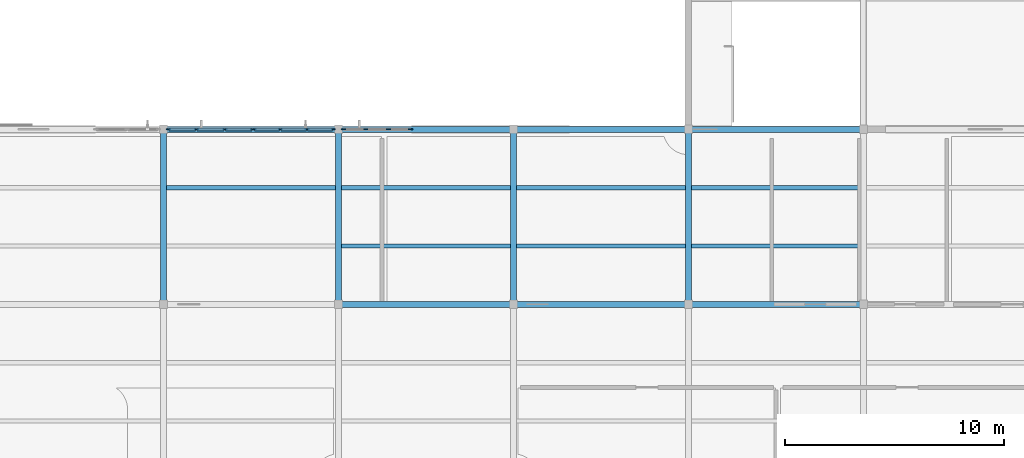
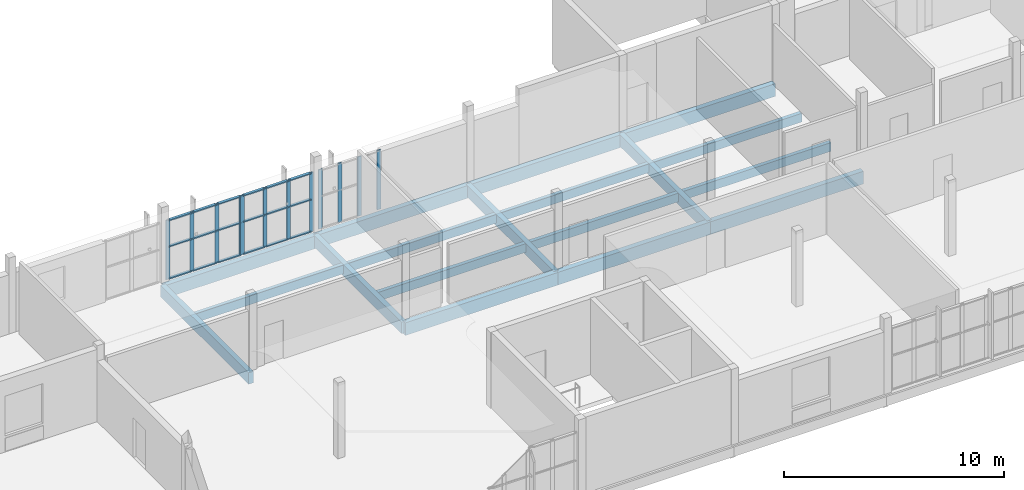
# One storey, part 4 of 15: 30 members, 18 beams, 3 elements without a shape of their own.
"""IFC4 building model written with IfcOpenShell, lengths in metres."""

from ifc_helpers import new_model, si_unit, direction, frame, origin, origin_2d, place, context, subcontext, project, spatial, rectangle, extrude, material, layer, layer_set, material_profile, profile_set, type_object, element, aggregate, save


model = new_model("IFC4")

# Units and contexts
model_context = context("Model", 3, precision=1e-05, world=origin(), true_north=direction((0.0, 1.0)))
body_context = subcontext(model_context, "Body", "Model", "MODEL_VIEW")
ifc_project = project(units=[si_unit("LENGTHUNIT", "METRE"), si_unit("AREAUNIT", "SQUARE_METRE"), si_unit("VOLUMEUNIT", "CUBIC_METRE"), si_unit("PLANEANGLEUNIT", "RADIAN"), si_unit("MASSUNIT", "GRAM", prefix="KILO")], contexts=[model_context])

# Site, building, storey
site_placement = place(None, origin())
site = spatial("IfcSite", under=ifc_project, at=site_placement, CompositionType="ELEMENT")
building_placement = place(site_placement, origin())
building = spatial("IfcBuilding", under=site, at=building_placement, Name="Solvane Community Centre", CompositionType="ELEMENT")
storey_placement = place(building_placement, frame((0.0, 0.0, 18.0)))
storey = spatial("IfcBuildingStorey", under=building, at=storey_placement, Name="L04", CompositionType="ELEMENT", Elevation=18.0)

# Curtain wall, members
ifc_material_1 = material(Name="Anodised bronze aluminium AW-6063 T6", Category="aluminium")
ifc_layer_1 = layer(ifc_material_1, 0.199951171875)
ifc_layer_set_1 = layer_set([ifc_layer_1], Name="Anodised bronze aluminium AW-6063 T6")
curtain_wall_type_1 = type_object("IfcCurtainWallType", Name="Courtyard Cloister Curtain Wall [39x33dm]", PredefinedType="NOTDEFINED", material=ifc_layer_set_1)
curtain_wall_1_placement = place(storey_placement, origin())
curtain_wall_1 = element("IfcCurtainWall", 1, at=curtain_wall_1_placement, inside=storey, type_object=curtain_wall_type_1, Name="Curtain Wall CW-L04-922_300-238", PredefinedType="NOTDEFINED")
ifc_material_profile_1 = material_profile(ifc_material_1, rectangle(XDim=0.06005859375, YDim=0.199951171875, at=origin_2d()), Name="CW-M 60x200")
ifc_profile_set_1 = profile_set([ifc_material_profile_1], Name="Anodised bronze aluminium AW-6063 T6")
member_type_1 = type_object("IfcMemberType", Name="Cloister Mullion 60x200", PredefinedType="MULLION", material=ifc_profile_set_1)
member_1_placement = place(storey_placement, frame((92.235107421875, 30.0, 0.0), z_axis=(0.0, 0.0, 1.0), x_axis=(0.0, 1.0, 0.0)))
member_1 = element("IfcMember", 2, at=member_1_placement, type_object=member_type_1, Name="CW03-39x33 mullion 1", PredefinedType="MULLION", context=body_context, shape_type="SweptSolid", body=[
    extrude(rectangle(XDim=0.06005859375, YDim=0.199951171875, at=origin_2d()), origin(), (0.0, 0.0, 1.0), 3.284912109375),
])
member_2_placement = place(storey_placement, frame((93.507080078125, 30.0, 0.0), z_axis=(0.0, 0.0, 1.0), x_axis=(0.0, 1.0, 0.0)))
member_2 = element("IfcMember", 3, at=member_2_placement, type_object=member_type_1, Name="CW03-39x33 mullion 2", PredefinedType="MULLION", context=body_context, shape_type="SweptSolid", body=[
    extrude(rectangle(XDim=0.06005859375, YDim=0.199951171875, at=origin_2d()), origin(), (0.0, 0.0, 1.0), 3.284912109375),
])
member_3_placement = place(storey_placement, frame((94.80908203125, 30.0, 0.0), z_axis=(0.0, 0.0, 1.0), x_axis=(0.0, 1.0, 0.0)))
member_3 = element("IfcMember", 4, at=member_3_placement, type_object=member_type_1, Name="CW03-39x33 mullion 3", PredefinedType="MULLION", context=body_context, shape_type="SweptSolid", body=[
    extrude(rectangle(XDim=0.06005859375, YDim=0.199951171875, at=origin_2d()), origin(), (0.0, 0.0, 1.0), 3.284912109375),
])
member_4_placement = place(storey_placement, frame((96.0810546875, 30.0, 0.0), z_axis=(0.0, 0.0, 1.0), x_axis=(0.0, 1.0, 0.0)))
member_4 = element("IfcMember", 5, at=member_4_placement, type_object=member_type_1, Name="CW03-39x33 mullion 4", PredefinedType="MULLION", context=body_context, shape_type="SweptSolid", body=[
    extrude(rectangle(XDim=0.06005859375, YDim=0.199951171875, at=origin_2d()), origin(), (0.0, 0.0, 1.0), 3.284912109375),
])

ifc_layer_2 = layer(ifc_material_1, 0.199951171875)
ifc_layer_set_2 = layer_set([ifc_layer_2], Name="Anodised bronze aluminium AW-6063 T6")
curtain_wall_type_2 = type_object("IfcCurtainWallType", Name="Courtyard Cloister Curtain Wall [37x33dm]", PredefinedType="NOTDEFINED", material=ifc_layer_set_2)
curtain_wall_2_placement = place(storey_placement, origin())
curtain_wall_2 = element("IfcCurtainWall", 6, at=curtain_wall_2_placement, inside=storey, type_object=curtain_wall_type_2, Name="Curtain Wall CW-L04-961_300-239", PredefinedType="NOTDEFINED")
member_5_placement = place(storey_placement, frame((96.14111328125, 30.0, 0.0), z_axis=(0.0, 0.0, 1.0), x_axis=(0.0, 1.0, 0.0)))
member_5 = element("IfcMember", 7, at=member_5_placement, type_object=member_type_1, Name="CW03-37x33 mullion 1", PredefinedType="MULLION", context=body_context, shape_type="SweptSolid", body=[
    extrude(rectangle(XDim=0.06005859375, YDim=0.199951171875, at=origin_2d()), origin(), (0.0, 0.0, 1.0), 3.284912109375),
])
member_6_placement = place(storey_placement, frame((97.339111328125, 30.0, 0.0), z_axis=(0.0, 0.0, 1.0), x_axis=(0.0, 1.0, 0.0)))
member_6 = element("IfcMember", 8, at=member_6_placement, type_object=member_type_1, Name="CW03-37x33 mullion 2", PredefinedType="MULLION", context=body_context, shape_type="SweptSolid", body=[
    extrude(rectangle(XDim=0.06005859375, YDim=0.199951171875, at=origin_2d()), origin(), (0.0, 0.0, 1.0), 3.284912109375),
])
member_7_placement = place(storey_placement, frame((98.567138671875, 30.0, 0.0), z_axis=(0.0, 0.0, 1.0), x_axis=(0.0, 1.0, 0.0)))
member_7 = element("IfcMember", 9, at=member_7_placement, type_object=member_type_1, Name="CW03-37x33 mullion 3", PredefinedType="MULLION", context=body_context, shape_type="SweptSolid", body=[
    extrude(rectangle(XDim=0.06005859375, YDim=0.199951171875, at=origin_2d()), origin(), (0.0, 0.0, 1.0), 3.284912109375),
])
member_8_placement = place(storey_placement, frame((99.764892578125, 30.0, 0.0), z_axis=(0.0, 0.0, 1.0), x_axis=(0.0, 1.0, 0.0)))
member_8 = element("IfcMember", 10, at=member_8_placement, type_object=member_type_1, Name="CW03-37x33 mullion 4", PredefinedType="MULLION", context=body_context, shape_type="SweptSolid", body=[
    extrude(rectangle(XDim=0.06005859375, YDim=0.199951171875, at=origin_2d()), origin(), (0.0, 0.0, 1.0), 3.284912109375),
])

ifc_layer_3 = layer(ifc_material_1, 0.199951171875)
ifc_layer_set_3 = layer_set([ifc_layer_3], Name="Anodised bronze aluminium AW-6063 T6")
curtain_wall_type_3 = type_object("IfcCurtainWallType", Name="Courtyard Cloister Curtain Wall [31x33dm]", PredefinedType="NOTDEFINED", material=ifc_layer_set_3)
curtain_wall_3_placement = place(storey_placement, origin())
curtain_wall_3 = element("IfcCurtainWall", 11, at=curtain_wall_3_placement, inside=storey, type_object=curtain_wall_type_3, Name="Curtain Wall CW-L04-1002_300-240", PredefinedType="NOTDEFINED")
member_9_placement = place(storey_placement, frame((100.235107421875, 30.0, 0.0), z_axis=(0.0, 0.0, 1.0), x_axis=(0.0, 1.0, 0.0)))
member_9 = element("IfcMember", 12, at=member_9_placement, type_object=member_type_1, Name="CW03-31x33 mullion 1", PredefinedType="MULLION", context=body_context, shape_type="SweptSolid", body=[
    extrude(rectangle(XDim=0.06005859375, YDim=0.199951171875, at=origin_2d()), origin(), (0.0, 0.0, 1.0), 3.284912109375),
])
member_10_placement = place(storey_placement, frame((101.247802734375, 30.0, 0.0), z_axis=(0.0, 0.0, 1.0), x_axis=(0.0, 1.0, 0.0)))
member_10 = element("IfcMember", 13, at=member_10_placement, type_object=member_type_1, Name="CW03-31x33 mullion 2", PredefinedType="MULLION", context=body_context, shape_type="SweptSolid", body=[
    extrude(rectangle(XDim=0.06005859375, YDim=0.199951171875, at=origin_2d()), origin(), (0.0, 0.0, 1.0), 3.284912109375),
])
member_11_placement = place(storey_placement, frame((102.29052734375, 30.0, 0.0), z_axis=(0.0, 0.0, 1.0), x_axis=(0.0, 1.0, 0.0)))
member_11 = element("IfcMember", 14, at=member_11_placement, type_object=member_type_1, Name="CW03-31x33 mullion 3", PredefinedType="MULLION", context=body_context, shape_type="SweptSolid", body=[
    extrude(rectangle(XDim=0.06005859375, YDim=0.199951171875, at=origin_2d()), origin(), (0.0, 0.0, 1.0), 3.284912109375),
])
member_12_placement = place(storey_placement, frame((103.30322265625, 30.0, 0.0), z_axis=(0.0, 0.0, 1.0), x_axis=(0.0, 1.0, 0.0)))
member_12 = element("IfcMember", 15, at=member_12_placement, type_object=member_type_1, Name="CW03-31x33 mullion 4", PredefinedType="MULLION", context=body_context, shape_type="SweptSolid", body=[
    extrude(rectangle(XDim=0.06005859375, YDim=0.199951171875, at=origin_2d()), origin(), (0.0, 0.0, 1.0), 3.284912109375),
])
aggregate(curtain_wall_3, [member_9, member_10, member_11, member_12])

# Member
ifc_material_profile_2 = material_profile(ifc_material_1, rectangle(XDim=0.139892578125, YDim=0.06005859375, at=origin_2d()), Name="CW-T 60x140")
ifc_profile_set_2 = profile_set([ifc_material_profile_2], Name="Anodised bronze aluminium AW-6063 T6")
member_type_2 = type_object("IfcMemberType", Name="Cloister Transom 60x140", PredefinedType="USERDEFINED", material=ifc_profile_set_2)
member_13_placement = place(storey_placement, frame((92.264892578125, 30.0, 0.030029296875), z_axis=(1.0, 0.0, 0.0), x_axis=(0.0, 1.0, 0.0)))
member_13 = element("IfcMember", 16, at=member_13_placement, type_object=member_type_2, Name="CW03-39x33 transom 1.1", ObjectType="TRANSOM", PredefinedType="USERDEFINED", context=body_context, shape_type="SweptSolid", body=[
    extrude(rectangle(XDim=0.139892578125, YDim=0.06005859375, at=origin_2d()), origin(), (0.0, 0.0, 1.0), 1.212158203125),
])

member_14_placement = place(storey_placement, frame((92.264892578125, 30.0, 1.806884765625), z_axis=(1.0, 0.0, 0.0), x_axis=(0.0, 1.0, 0.0)))
member_14 = element("IfcMember", 17, at=member_14_placement, type_object=member_type_2, Name="CW03-39x33 transom 1.2", ObjectType="TRANSOM", PredefinedType="USERDEFINED", context=body_context, shape_type="SweptSolid", body=[
    extrude(rectangle(XDim=0.139892578125, YDim=0.06005859375, at=origin_2d()), origin(), (0.0, 0.0, 1.0), 1.212158203125),
])

member_15_placement = place(storey_placement, frame((92.264892578125, 30.0, 3.2548828125), z_axis=(1.0, 0.0, 0.0), x_axis=(0.0, 1.0, 0.0)))
member_15 = element("IfcMember", 18, at=member_15_placement, type_object=member_type_2, Name="CW03-39x33 transom 1.3", ObjectType="TRANSOM", PredefinedType="USERDEFINED", context=body_context, shape_type="SweptSolid", body=[
    extrude(rectangle(XDim=0.139892578125, YDim=0.06005859375, at=origin_2d()), origin(), (0.0, 0.0, 1.0), 1.212158203125),
])

member_16_placement = place(storey_placement, frame((93.537109375, 30.0, 0.030029296875), z_axis=(1.0, 0.0, 0.0), x_axis=(0.0, 1.0, 0.0)))
member_16 = element("IfcMember", 19, at=member_16_placement, type_object=member_type_2, Name="CW03-39x33 transom 2.1", ObjectType="TRANSOM", PredefinedType="USERDEFINED", context=body_context, shape_type="SweptSolid", body=[
    extrude(rectangle(XDim=0.139892578125, YDim=0.06005859375, at=origin_2d()), origin(), (0.0, 0.0, 1.0), 1.241943359375),
])

member_17_placement = place(storey_placement, frame((93.537109375, 30.0, 1.806884765625), z_axis=(1.0, 0.0, 0.0), x_axis=(0.0, 1.0, 0.0)))
member_17 = element("IfcMember", 20, at=member_17_placement, type_object=member_type_2, Name="CW03-39x33 transom 2.2", ObjectType="TRANSOM", PredefinedType="USERDEFINED", context=body_context, shape_type="SweptSolid", body=[
    extrude(rectangle(XDim=0.139892578125, YDim=0.06005859375, at=origin_2d()), origin(), (0.0, 0.0, 1.0), 1.241943359375),
])

member_18_placement = place(storey_placement, frame((93.537109375, 30.0, 3.2548828125), z_axis=(1.0, 0.0, 0.0), x_axis=(0.0, 1.0, 0.0)))
member_18 = element("IfcMember", 21, at=member_18_placement, type_object=member_type_2, Name="CW03-39x33 transom 2.3", ObjectType="TRANSOM", PredefinedType="USERDEFINED", context=body_context, shape_type="SweptSolid", body=[
    extrude(rectangle(XDim=0.139892578125, YDim=0.06005859375, at=origin_2d()), origin(), (0.0, 0.0, 1.0), 1.241943359375),
])

member_19_placement = place(storey_placement, frame((94.839111328125, 30.0, 0.030029296875), z_axis=(1.0, 0.0, 0.0), x_axis=(0.0, 1.0, 0.0)))
member_19 = element("IfcMember", 22, at=member_19_placement, type_object=member_type_2, Name="CW03-39x33 transom 3.1", ObjectType="TRANSOM", PredefinedType="USERDEFINED", context=body_context, shape_type="SweptSolid", body=[
    extrude(rectangle(XDim=0.139892578125, YDim=0.06005859375, at=origin_2d()), origin(), (0.0, 0.0, 1.0), 1.2119140625),
])

member_20_placement = place(storey_placement, frame((94.839111328125, 30.0, 1.806884765625), z_axis=(1.0, 0.0, 0.0), x_axis=(0.0, 1.0, 0.0)))
member_20 = element("IfcMember", 23, at=member_20_placement, type_object=member_type_2, Name="CW03-39x33 transom 3.2", ObjectType="TRANSOM", PredefinedType="USERDEFINED", context=body_context, shape_type="SweptSolid", body=[
    extrude(rectangle(XDim=0.139892578125, YDim=0.06005859375, at=origin_2d()), origin(), (0.0, 0.0, 1.0), 1.2119140625),
])

member_21_placement = place(storey_placement, frame((94.839111328125, 30.0, 3.2548828125), z_axis=(1.0, 0.0, 0.0), x_axis=(0.0, 1.0, 0.0)))
member_21 = element("IfcMember", 24, at=member_21_placement, type_object=member_type_2, Name="CW03-39x33 transom 3.3", ObjectType="TRANSOM", PredefinedType="USERDEFINED", context=body_context, shape_type="SweptSolid", body=[
    extrude(rectangle(XDim=0.139892578125, YDim=0.06005859375, at=origin_2d()), origin(), (0.0, 0.0, 1.0), 1.2119140625),
])

aggregate(curtain_wall_1, [member_1, member_2, member_3, member_4, member_13, member_14, member_15, member_16, member_17, member_18, member_19, member_20, member_21])

member_22_placement = place(storey_placement, frame((96.171142578125, 30.0, 0.030029296875), z_axis=(1.0, 0.0, 0.0), x_axis=(0.0, 1.0, 0.0)))
member_22 = element("IfcMember", 25, at=member_22_placement, type_object=member_type_2, Name="CW03-37x33 transom 1.1", ObjectType="TRANSOM", PredefinedType="USERDEFINED", context=body_context, shape_type="SweptSolid", body=[
    extrude(rectangle(XDim=0.139892578125, YDim=0.06005859375, at=origin_2d()), origin(), (0.0, 0.0, 1.0), 1.137939453125),
])

member_23_placement = place(storey_placement, frame((96.171142578125, 30.0, 1.806884765625), z_axis=(1.0, 0.0, 0.0), x_axis=(0.0, 1.0, 0.0)))
member_23 = element("IfcMember", 26, at=member_23_placement, type_object=member_type_2, Name="CW03-37x33 transom 1.2", ObjectType="TRANSOM", PredefinedType="USERDEFINED", context=body_context, shape_type="SweptSolid", body=[
    extrude(rectangle(XDim=0.139892578125, YDim=0.06005859375, at=origin_2d()), origin(), (0.0, 0.0, 1.0), 1.137939453125),
])

member_24_placement = place(storey_placement, frame((96.171142578125, 30.0, 3.2548828125), z_axis=(1.0, 0.0, 0.0), x_axis=(0.0, 1.0, 0.0)))
member_24 = element("IfcMember", 27, at=member_24_placement, type_object=member_type_2, Name="CW03-37x33 transom 1.3", ObjectType="TRANSOM", PredefinedType="USERDEFINED", context=body_context, shape_type="SweptSolid", body=[
    extrude(rectangle(XDim=0.139892578125, YDim=0.06005859375, at=origin_2d()), origin(), (0.0, 0.0, 1.0), 1.137939453125),
])

member_25_placement = place(storey_placement, frame((97.369140625, 30.0, 0.030029296875), z_axis=(1.0, 0.0, 0.0), x_axis=(0.0, 1.0, 0.0)))
member_25 = element("IfcMember", 28, at=member_25_placement, type_object=member_type_2, Name="CW03-37x33 transom 2.1", ObjectType="TRANSOM", PredefinedType="USERDEFINED", context=body_context, shape_type="SweptSolid", body=[
    extrude(rectangle(XDim=0.139892578125, YDim=0.06005859375, at=origin_2d()), origin(), (0.0, 0.0, 1.0), 1.16796875),
])

member_26_placement = place(storey_placement, frame((97.369140625, 30.0, 1.806884765625), z_axis=(1.0, 0.0, 0.0), x_axis=(0.0, 1.0, 0.0)))
member_26 = element("IfcMember", 29, at=member_26_placement, type_object=member_type_2, Name="CW03-37x33 transom 2.2", ObjectType="TRANSOM", PredefinedType="USERDEFINED", context=body_context, shape_type="SweptSolid", body=[
    extrude(rectangle(XDim=0.139892578125, YDim=0.06005859375, at=origin_2d()), origin(), (0.0, 0.0, 1.0), 1.16796875),
])

member_27_placement = place(storey_placement, frame((97.369140625, 30.0, 3.2548828125), z_axis=(1.0, 0.0, 0.0), x_axis=(0.0, 1.0, 0.0)))
member_27 = element("IfcMember", 30, at=member_27_placement, type_object=member_type_2, Name="CW03-37x33 transom 2.3", ObjectType="TRANSOM", PredefinedType="USERDEFINED", context=body_context, shape_type="SweptSolid", body=[
    extrude(rectangle(XDim=0.139892578125, YDim=0.06005859375, at=origin_2d()), origin(), (0.0, 0.0, 1.0), 1.16796875),
])

member_28_placement = place(storey_placement, frame((98.596923828125, 30.0, 0.030029296875), z_axis=(1.0, 0.0, 0.0), x_axis=(0.0, 1.0, 0.0)))
member_28 = element("IfcMember", 31, at=member_28_placement, type_object=member_type_2, Name="CW03-37x33 transom 3.1", ObjectType="TRANSOM", PredefinedType="USERDEFINED", context=body_context, shape_type="SweptSolid", body=[
    extrude(rectangle(XDim=0.139892578125, YDim=0.06005859375, at=origin_2d()), origin(), (0.0, 0.0, 1.0), 1.13818359375),
])

member_29_placement = place(storey_placement, frame((98.596923828125, 30.0, 1.806884765625), z_axis=(1.0, 0.0, 0.0), x_axis=(0.0, 1.0, 0.0)))
member_29 = element("IfcMember", 32, at=member_29_placement, type_object=member_type_2, Name="CW03-37x33 transom 3.2", ObjectType="TRANSOM", PredefinedType="USERDEFINED", context=body_context, shape_type="SweptSolid", body=[
    extrude(rectangle(XDim=0.139892578125, YDim=0.06005859375, at=origin_2d()), origin(), (0.0, 0.0, 1.0), 1.13818359375),
])

member_30_placement = place(storey_placement, frame((98.596923828125, 30.0, 3.2548828125), z_axis=(1.0, 0.0, 0.0), x_axis=(0.0, 1.0, 0.0)))
member_30 = element("IfcMember", 33, at=member_30_placement, type_object=member_type_2, Name="CW03-37x33 transom 3.3", ObjectType="TRANSOM", PredefinedType="USERDEFINED", context=body_context, shape_type="SweptSolid", body=[
    extrude(rectangle(XDim=0.139892578125, YDim=0.06005859375, at=origin_2d()), origin(), (0.0, 0.0, 1.0), 1.13818359375),
])

aggregate(curtain_wall_2, [member_5, member_6, member_7, member_8, member_22, member_23, member_24, member_25, member_26, member_27, member_28, member_29, member_30])

# Beams
ifc_material_2 = material(Name="Glulam GL28h", Category="wood")
ifc_material_profile_3 = material_profile(ifc_material_2, rectangle(XDim=0.27001953125, YDim=0.699951171875, at=origin_2d()), Name="GL28h 270x700")
ifc_profile_set_3 = profile_set([ifc_material_profile_3], Name="Glulam GL28h")
beam_type_1 = type_object("IfcBeamType", Name="Glulam Library Girder 270x700", PredefinedType="USERDEFINED", material=ifc_profile_set_3)
for number, where, z_axis, x_axis, name in (
    (34, (100.0, 22.0, -0.570068359375), (1.0, 0.0, 0.0), (0.0, 1.0, 0.0), "Beam BM-L04-1000_220-1080_220"),
    (35, (108.0, 22.0, -0.570068359375), (1.0, 0.0, 0.0), (0.0, 1.0, 0.0), "Beam BM-L04-1080_220-1160_220"),
    (36, (116.0, 22.0, -0.570068359375), (1.0, 0.0, 0.0), (0.0, 1.0, 0.0), "Beam BM-L04-1160_220-1240_220"),
    (37, (92.0, 30.0, -0.570068359375), (1.0, 0.0, 0.0), (0.0, 1.0, 0.0), "Beam BM-L04-920_300-1000_300"),
    (38, (100.0, 30.0, -0.570068359375), (1.0, 0.0, 0.0), (0.0, 1.0, 0.0), "Beam BM-L04-1000_300-1080_300"),
    (39, (108.0, 30.0, -0.570068359375), (1.0, 0.0, 0.0), (0.0, 1.0, 0.0), "Beam BM-L04-1080_300-1160_300"),
    (40, (116.0, 30.0, -0.570068359375), (1.0, 0.0, 0.0), (0.0, 1.0, 0.0), "Beam BM-L04-1160_300-1240_300"),
):
    element("IfcBeam", number, at=place(storey_placement, frame(where, z_axis=z_axis, x_axis=x_axis)), inside=storey, type_object=beam_type_1, Name=name, ObjectType="GIRDER", PredefinedType="USERDEFINED", context=body_context, shape_type="SweptSolid", body=[
        extrude(rectangle(XDim=0.27001953125, YDim=0.699951171875, at=origin_2d()), origin(), (0.0, 0.0, 1.0), 8.0),
    ])
ifc_material_profile_4 = material_profile(ifc_material_2, rectangle(XDim=0.199951171875, YDim=0.47998046875, at=origin_2d()), Name="GL28h 200x480")
ifc_profile_set_4 = profile_set([ifc_material_profile_4], Name="Glulam GL28h")
beam_type_2 = type_object("IfcBeamType", Name="Glulam Medium Joist 200x480", PredefinedType="JOIST", material=ifc_profile_set_4)
for number, where, z_axis, x_axis, name in (
    (41, (92.1298828125, 27.333251953125, -0.4599609375), (1.0, 0.0, 0.0), (0.0, 1.0, 0.0), "Beam BM-L04-921_273-999_273"),
    (42, (100.1298828125, 24.666748046875, -0.4599609375), (1.0, 0.0, 0.0), (0.0, 1.0, 0.0), "Beam BM-L04-1001_247-1079_247"),
    (43, (100.1298828125, 27.333251953125, -0.4599609375), (1.0, 0.0, 0.0), (0.0, 1.0, 0.0), "Beam BM-L04-1001_273-1079_273"),
    (44, (108.1298828125, 24.666748046875, -0.4599609375), (1.0, 0.0, 0.0), (0.0, 1.0, 0.0), "Beam BM-L04-1081_247-1159_247"),
    (45, (108.1298828125, 27.333251953125, -0.4599609375), (1.0, 0.0, 0.0), (0.0, 1.0, 0.0), "Beam BM-L04-1081_273-1159_273"),
    (46, (116.1298828125, 24.666748046875, -0.4599609375), (1.0, 0.0, 0.0), (0.0, 1.0, 0.0), "Beam BM-L04-1161_247-1239_247"),
    (47, (116.1298828125, 27.333251953125, -0.4599609375), (1.0, 0.0, 0.0), (0.0, 1.0, 0.0), "Beam BM-L04-1161_273-1239_273"),
):
    element("IfcBeam", number, at=place(storey_placement, frame(where, z_axis=z_axis, x_axis=x_axis)), inside=storey, type_object=beam_type_2, Name=name, PredefinedType="JOIST", context=body_context, shape_type="SweptSolid", body=[
        extrude(rectangle(XDim=0.199951171875, YDim=0.47998046875, at=origin_2d()), origin(), (0.0, 0.0, 1.0), 7.740234375),
    ])
ifc_material_profile_5 = material_profile(ifc_material_2, rectangle(XDim=0.260009765625, YDim=0.639892578125, at=origin_2d()), Name="GL28h 260x640")
ifc_profile_set_5 = profile_set([ifc_material_profile_5], Name="Glulam GL28h")
beam_type_3 = type_object("IfcBeamType", Name="Glulam Studio Beam 260x640", PredefinedType="BEAM", material=ifc_profile_set_5)
for number, where, z_axis, x_axis, name in (
    (48, (92.0, 22.0, -0.5400390625), (0.0, 1.0, 0.0), (-1.0, 0.0, 0.0), "Beam BM-L04-920_220-920_300"),
    (49, (100.0, 22.0, -0.5400390625), (0.0, 1.0, 0.0), (-1.0, 0.0, 0.0), "Beam BM-L04-1000_220-1000_300"),
    (50, (108.0, 22.0, -0.5400390625), (0.0, 1.0, 0.0), (-1.0, 0.0, 0.0), "Beam BM-L04-1080_220-1080_300"),
    (51, (116.0, 22.0, -0.5400390625), (0.0, 1.0, 0.0), (-1.0, 0.0, 0.0), "Beam BM-L04-1160_220-1160_300"),
):
    element("IfcBeam", number, at=place(storey_placement, frame(where, z_axis=z_axis, x_axis=x_axis)), inside=storey, type_object=beam_type_3, Name=name, PredefinedType="BEAM", context=body_context, shape_type="SweptSolid", body=[
        extrude(rectangle(XDim=0.260009765625, YDim=0.639892578125, at=origin_2d()), origin(), (0.0, 0.0, 1.0), 8.0),
    ])

save(model, "model.ifc")
